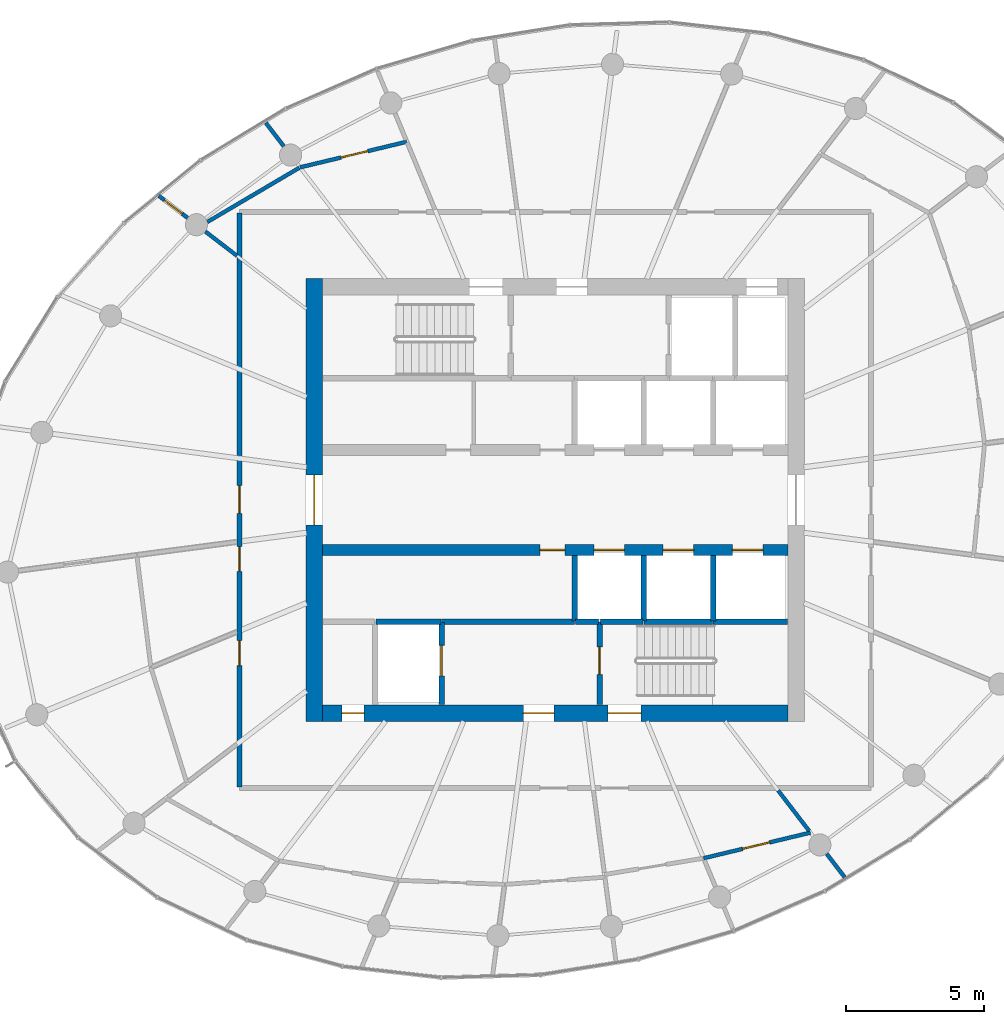
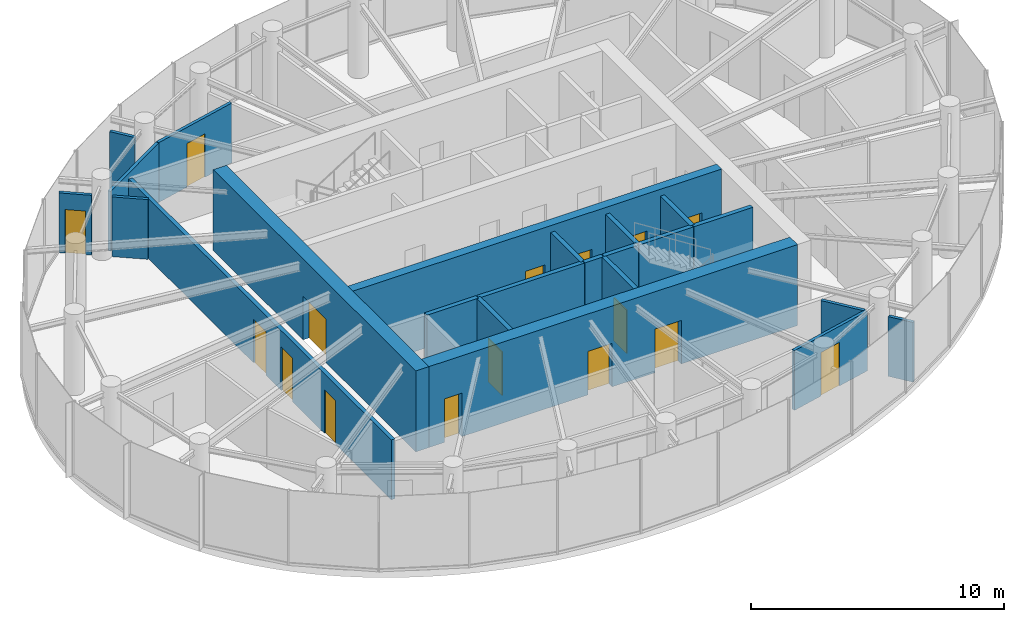
# One storey, part 9 of 13: 23 walls, 16 doors, 16 openings.
"""IFC4 building model written with IfcOpenShell, lengths in metres."""

from ifc_helpers import new_model, si_unit, direction, frame, frame_2d, origin, place, context, subcontext, project, spatial, rectangle, extrude, source, transform, mapped, material, layer, layer_set, type_object, element, fill, save


model = new_model("IFC4")

# Units and contexts
model_context = context("Model", 3, precision=1e-05, world=origin(), true_north=direction((0.0, 1.0)))
body_context = subcontext(model_context, "Body", "Model", "MODEL_VIEW")
ifc_project = project(units=[si_unit("LENGTHUNIT", "METRE"), si_unit("AREAUNIT", "SQUARE_METRE"), si_unit("VOLUMEUNIT", "CUBIC_METRE"), si_unit("PLANEANGLEUNIT", "RADIAN"), si_unit("MASSUNIT", "GRAM", prefix="KILO")], contexts=[model_context])

# Site, building, storey
site_placement = place(None, origin())
site = spatial("IfcSite", under=ifc_project, at=site_placement, CompositionType="ELEMENT")
building_placement = place(site_placement, origin())
building = spatial("IfcBuilding", under=site, at=building_placement, Name="Spindrift Exchange Tower", CompositionType="ELEMENT")
storey_placement = place(building_placement, frame((0.0, 0.0, 254.0)))
storey = spatial("IfcBuildingStorey", under=building, at=storey_placement, Name="L62", CompositionType="ELEMENT", Elevation=254.0)

# Wall, opening, door
ifc_material_1 = material(Name="Concrete 50 MPa", Category="concrete")
ifc_layer_1 = layer(ifc_material_1, 0.60009765625)
ifc_layer_set_1 = layer_set([ifc_layer_1], Name="RC Core Wall 600 Concrete 50 MPa")
wall_type_1 = type_object("IfcWallType", Name="RC Core Wall 600 Concrete 50 MPa", PredefinedType="SHEAR", material=ifc_layer_set_1)
wall_1_placement = place(storey_placement, frame((43.300048828125, 56.0, 0.0), z_axis=(0.0, 0.0, 1.0), x_axis=(0.0, -1.0, 0.0)))
wall_1 = element("IfcWall", 1, at=wall_1_placement, inside=storey, type_object=wall_type_1, Name="Core wall W L62", PredefinedType="SHEAR", context=body_context, shape_type="SweptSolid", body=[
    extrude(rectangle(XDim=16.0, YDim=0.60009765625, at=frame_2d((8.0, 0.0))), origin(), (0.0, 0.0, 1.0), 3.89990234375),
])
opening_1_placement = place(wall_1_placement, frame((7.10009765625, 0.0, 0.0)))
opening_1 = element("IfcOpeningElement", 2, at=opening_1_placement, cuts=wall_1, Name="Opening L62-D1", PredefinedType="OPENING", context=body_context, shape_type="SweptSolid", body=[
    extrude(rectangle(XDim=1.800048828125, YDim=2.10009765625, at=frame_2d((0.89990234375, 1.050048828125))), frame((0.0, 0.31005859375, 0.0), z_axis=(0.0, -1.0, 0.0), x_axis=(1.0, 0.0, 0.0)), (0.0, 0.0, 1.0), 0.6201171875),
])
ifc_material_2 = material(Name="Timber-core fire door", Category="wood")
door_type_1 = type_object("IfcDoorType", Name="DR-LOBBY-1800", OperationType="NOTDEFINED", PredefinedType="DOOR", material=ifc_material_2)
shared_shape_1 = source(origin(), body_context, "Body", "SweptSolid", [
    extrude(rectangle(XDim=1.800048828125, YDim=2.10009765625, at=frame_2d((0.89990234375, 1.050048828125))), frame((0.0, 0.02490234375, 0.0), z_axis=(0.0, -1.0, 0.0), x_axis=(1.0, 0.0, 0.0)), (0.0, 0.0, 1.0), 0.050048828125),
])
door_1_placement = place(opening_1_placement, origin())
door_1 = element("IfcDoor", 3, at=door_1_placement, inside=storey, type_object=door_type_1, Name="L62 Lobby door 1", OperationType="SINGLE_SWING_RIGHT", OverallHeight=2.10009765625, OverallWidth=1.800048828125, PredefinedType="DOOR", context=body_context, shape_type="MappedRepresentation", body=[
    mapped(shared_shape_1, transform((0.0, 0.0, 0.0), scale=1.0)),
])
fill(opening_1, door_1)

# Wall, openings, doors
wall_2_placement = place(storey_placement, frame((43.60009765625, 40.300048828125, 0.0), z_axis=(0.0, 0.0, 1.0), x_axis=(1.0, 0.0, 0.0)))
wall_2 = element("IfcWall", 4, at=wall_2_placement, inside=storey, type_object=wall_type_1, Name="Core wall S L62", PredefinedType="SHEAR", context=body_context, shape_type="SweptSolid", body=[
    extrude(rectangle(XDim=16.7998046875, YDim=0.60009765625, at=frame_2d((8.39990234375, 0.0))), origin(), (0.0, 0.0, 1.0), 3.89990234375),
])
opening_2_placement = place(wall_2_placement, frame((10.300048828125, 0.0, 0.0)))
opening_2 = element("IfcOpeningElement", 5, at=opening_2_placement, cuts=wall_2, Name="Opening L62-D15", PredefinedType="OPENING", context=body_context, shape_type="SweptSolid", body=[
    extrude(rectangle(XDim=1.199951171875, YDim=2.10009765625, at=frame_2d((0.60009765625, 1.050048828125))), frame((0.0, 0.31005859375, 0.0), z_axis=(0.0, -1.0, 0.0), x_axis=(1.0, 0.0, 0.0)), (0.0, 0.0, 1.0), 0.6201171875),
])
opening_3_placement = place(wall_2_placement, frame((7.25, 0.0, 0.0)))
opening_3 = element("IfcOpeningElement", 6, at=opening_3_placement, cuts=wall_2, Name="Opening L62-D17", PredefinedType="OPENING", context=body_context, shape_type="SweptSolid", body=[
    extrude(rectangle(XDim=1.10009765625, YDim=2.10009765625, at=frame_2d((0.550048828125, 1.050048828125))), frame((0.0, 0.31005859375, 0.0), z_axis=(0.0, -1.0, 0.0), x_axis=(1.0, 0.0, 0.0)), (0.0, 0.0, 1.0), 0.6201171875),
])
opening_4_placement = place(wall_2_placement, frame((0.699951171875, 0.0, 0.0)))
opening_4 = element("IfcOpeningElement", 7, at=opening_4_placement, cuts=wall_2, Name="Opening L62-D18", PredefinedType="OPENING", context=body_context, shape_type="SweptSolid", body=[
    extrude(rectangle(XDim=0.800048828125, YDim=2.10009765625, at=frame_2d((0.39990234375, 1.050048828125))), frame((0.0, 0.31005859375, 0.0), z_axis=(0.0, -1.0, 0.0), x_axis=(1.0, 0.0, 0.0)), (0.0, 0.0, 1.0), 0.6201171875),
])
ifc_material_3 = material(Name="Steel fire door", Category="steel")
door_type_2 = type_object("IfcDoorType", Name="DR-STAIR-1200", OperationType="NOTDEFINED", PredefinedType="DOOR", material=ifc_material_3)
shared_shape_2 = source(origin(), body_context, "Body", "SweptSolid", [
    extrude(rectangle(XDim=1.199951171875, YDim=2.10009765625, at=frame_2d((0.60009765625, 1.050048828125))), frame((0.0, 0.02490234375, 0.0), z_axis=(0.0, -1.0, 0.0), x_axis=(1.0, 0.0, 0.0)), (0.0, 0.0, 1.0), 0.050048828125),
])
door_2_placement = place(opening_2_placement, origin())
door_2 = element("IfcDoor", 8, at=door_2_placement, inside=storey, type_object=door_type_2, Name="L62 Stair door 15", OperationType="SINGLE_SWING_LEFT", OverallHeight=2.10009765625, OverallWidth=1.199951171875, PredefinedType="DOOR", context=body_context, shape_type="MappedRepresentation", body=[
    mapped(shared_shape_2, transform((0.0, 0.0, 0.0), scale=1.0)),
])
fill(opening_2, door_2)
door_type_3 = type_object("IfcDoorType", Name="DR-LOBBY-1100", OperationType="NOTDEFINED", PredefinedType="DOOR", material=ifc_material_2)
shared_shape_3 = source(origin(), body_context, "Body", "SweptSolid", [
    extrude(rectangle(XDim=1.10009765625, YDim=2.10009765625, at=frame_2d((0.550048828125, 1.050048828125))), frame((0.0, 0.02490234375, 0.0), z_axis=(0.0, -1.0, 0.0), x_axis=(1.0, 0.0, 0.0)), (0.0, 0.0, 1.0), 0.050048828125),
])
door_3_placement = place(opening_3_placement, origin())
door_3 = element("IfcDoor", 9, at=door_3_placement, inside=storey, type_object=door_type_3, Name="L62 Lobby door 17", OperationType="SINGLE_SWING_LEFT", OverallHeight=2.10009765625, OverallWidth=1.10009765625, PredefinedType="DOOR", context=body_context, shape_type="MappedRepresentation", body=[
    mapped(shared_shape_3, transform((0.0, 0.0, 0.0), scale=1.0)),
])
fill(opening_3, door_3)
ifc_material_4 = material(Name="Steel access door", Category="steel")
door_type_4 = type_object("IfcDoorType", Name="DR-RISER-800", OperationType="NOTDEFINED", PredefinedType="DOOR", material=ifc_material_4)
shared_shape_4 = source(origin(), body_context, "Body", "SweptSolid", [
    extrude(rectangle(XDim=0.800048828125, YDim=2.10009765625, at=frame_2d((0.39990234375, 1.050048828125))), frame((0.0, 0.02490234375, 0.0), z_axis=(0.0, -1.0, 0.0), x_axis=(1.0, 0.0, 0.0)), (0.0, 0.0, 1.0), 0.050048828125),
])
door_4_placement = place(opening_4_placement, origin())
door_4 = element("IfcDoor", 10, at=door_4_placement, inside=storey, type_object=door_type_4, Name="L62 Riser door 18", OperationType="SINGLE_SWING_RIGHT", OverallHeight=2.10009765625, OverallWidth=0.800048828125, PredefinedType="DOOR", context=body_context, shape_type="MappedRepresentation", body=[
    mapped(shared_shape_4, transform((0.0, 0.0, 0.0), scale=1.0)),
])
fill(opening_4, door_4)

ifc_layer_2 = layer(ifc_material_1, 0.39990234375)
ifc_layer_set_2 = layer_set([ifc_layer_2], Name="RC Spine Wall 400 Concrete 50 MPa")
wall_type_2 = type_object("IfcWallType", Name="RC Spine Wall 400 Concrete 50 MPa", PredefinedType="SHEAR", material=ifc_layer_set_2)
wall_3_placement = place(storey_placement, frame((43.60009765625, 46.199951171875, 0.0), z_axis=(0.0, 0.0, 1.0), x_axis=(1.0, 0.0, 0.0)))
wall_3 = element("IfcWall", 11, at=wall_3_placement, inside=storey, type_object=wall_type_2, Name="Core spine wall S L62", PredefinedType="SHEAR", context=body_context, shape_type="SweptSolid", body=[
    extrude(rectangle(XDim=16.7998046875, YDim=0.39990234375, at=frame_2d((8.39990234375, 0.0))), origin(), (0.0, 0.0, 1.0), 3.89990234375),
])
opening_5_placement = place(wall_3_placement, frame((9.800048828125, 0.0, 0.0)))
opening_5 = element("IfcOpeningElement", 12, at=opening_5_placement, cuts=wall_3, Name="Opening L62-D6", PredefinedType="OPENING", context=body_context, shape_type="SweptSolid", body=[
    extrude(rectangle(XDim=1.10009765625, YDim=2.10009765625, at=frame_2d((0.550048828125, 1.050048828125))), frame((0.0, 0.2099609375, 0.0), z_axis=(0.0, -1.0, 0.0), x_axis=(1.0, 0.0, 0.0)), (0.0, 0.0, 1.0), 0.419921875),
])
opening_6_placement = place(wall_3_placement, frame((12.300048828125, 0.0, 0.0)))
opening_6 = element("IfcOpeningElement", 13, at=opening_6_placement, cuts=wall_3, Name="Opening L62-D7", PredefinedType="OPENING", context=body_context, shape_type="SweptSolid", body=[
    extrude(rectangle(XDim=1.10009765625, YDim=2.10009765625, at=frame_2d((0.550048828125, 1.050048828125))), frame((0.0, 0.2099609375, 0.0), z_axis=(0.0, -1.0, 0.0), x_axis=(1.0, 0.0, 0.0)), (0.0, 0.0, 1.0), 0.419921875),
])
opening_7_placement = place(wall_3_placement, frame((14.800048828125, 0.0, 0.0)))
opening_7 = element("IfcOpeningElement", 14, at=opening_7_placement, cuts=wall_3, Name="Opening L62-D8", PredefinedType="OPENING", context=body_context, shape_type="SweptSolid", body=[
    extrude(rectangle(XDim=1.10009765625, YDim=2.10009765625, at=frame_2d((0.550048828125, 1.050048828125))), frame((0.0, 0.2099609375, 0.0), z_axis=(0.0, -1.0, 0.0), x_axis=(1.0, 0.0, 0.0)), (0.0, 0.0, 1.0), 0.419921875),
])
opening_8_placement = place(wall_3_placement, frame((7.85009765625, 0.0, 0.0)))
opening_8 = element("IfcOpeningElement", 15, at=opening_8_placement, cuts=wall_3, Name="Opening L62-D46", PredefinedType="OPENING", context=body_context, shape_type="SweptSolid", body=[
    extrude(rectangle(XDim=0.89990234375, YDim=2.10009765625, at=frame_2d((0.449951171875, 1.050048828125))), frame((0.0, 0.2099609375, 0.0), z_axis=(0.0, -1.0, 0.0), x_axis=(1.0, 0.0, 0.0)), (0.0, 0.0, 1.0), 0.419921875),
])
ifc_material_5 = material(Name="Stainless steel landing door", Category="steel")
door_type_5 = type_object("IfcDoorType", Name="DR-LANDING-1100-SL", OperationType="DOUBLE_DOOR_SLIDING", PredefinedType="USERDEFINED", material=ifc_material_5)
shared_shape_5 = source(origin(), body_context, "Body", "SweptSolid", [
    extrude(rectangle(XDim=1.10009765625, YDim=2.10009765625, at=frame_2d((0.550048828125, 1.050048828125))), frame((0.0, 0.02490234375, 0.0), z_axis=(0.0, -1.0, 0.0), x_axis=(1.0, 0.0, 0.0)), (0.0, 0.0, 1.0), 0.050048828125),
])
door_5_placement = place(opening_5_placement, origin())
door_5 = element("IfcDoor", 16, at=door_5_placement, inside=storey, type_object=door_type_5, Name="L62 Lift landing door 6", ObjectType="LANDING DOOR", OperationType="DOUBLE_DOOR_SLIDING", OverallHeight=2.10009765625, OverallWidth=1.10009765625, PredefinedType="USERDEFINED", context=body_context, shape_type="MappedRepresentation", body=[
    mapped(shared_shape_5, transform((0.0, 0.0, 0.0), scale=1.0)),
])
fill(opening_5, door_5)
door_6_placement = place(opening_6_placement, origin())
door_6 = element("IfcDoor", 17, at=door_6_placement, inside=storey, type_object=door_type_5, Name="L62 Lift landing door 7", ObjectType="LANDING DOOR", OperationType="DOUBLE_DOOR_SLIDING", OverallHeight=2.10009765625, OverallWidth=1.10009765625, PredefinedType="USERDEFINED", context=body_context, shape_type="MappedRepresentation", body=[
    mapped(shared_shape_5, transform((0.0, 0.0, 0.0), scale=1.0)),
])
fill(opening_6, door_6)
door_7_placement = place(opening_7_placement, origin())
door_7 = element("IfcDoor", 18, at=door_7_placement, inside=storey, type_object=door_type_5, Name="L62 Lift landing door 8", ObjectType="LANDING DOOR", OperationType="DOUBLE_DOOR_SLIDING", OverallHeight=2.10009765625, OverallWidth=1.10009765625, PredefinedType="USERDEFINED", context=body_context, shape_type="MappedRepresentation", body=[
    mapped(shared_shape_5, transform((0.0, 0.0, 0.0), scale=1.0)),
])
fill(opening_7, door_7)
door_type_6 = type_object("IfcDoorType", Name="DR-RISER-900", OperationType="NOTDEFINED", PredefinedType="DOOR", material=ifc_material_4)
shared_shape_6 = source(origin(), body_context, "Body", "SweptSolid", [
    extrude(rectangle(XDim=0.89990234375, YDim=2.10009765625, at=frame_2d((0.449951171875, 1.050048828125))), frame((0.0, 0.02490234375, 0.0), z_axis=(0.0, -1.0, 0.0), x_axis=(1.0, 0.0, 0.0)), (0.0, 0.0, 1.0), 0.050048828125),
])
door_8_placement = place(opening_8_placement, origin())
door_8 = element("IfcDoor", 19, at=door_8_placement, inside=storey, type_object=door_type_6, Name="L62 Riser door 46", OperationType="SINGLE_SWING_RIGHT", OverallHeight=2.10009765625, OverallWidth=0.89990234375, PredefinedType="DOOR", context=body_context, shape_type="MappedRepresentation", body=[
    mapped(shared_shape_6, transform((0.0, 0.0, 0.0), scale=1.0)),
])
fill(opening_8, door_8)

ifc_material_6 = material(Name="Fire-rated plasterboard partition", Category="gypsum")
ifc_layer_3 = layer(ifc_material_6, 0.179931640625)
ifc_layer_set_3 = layer_set([ifc_layer_3], Name="W-CORR-180")
wall_type_3 = type_object("IfcWallType", Name="W-CORR-180", PredefinedType="PARTITIONING", material=ifc_layer_set_3)
wall_4_placement = place(storey_placement, frame((40.60009765625, 37.6298828125, 0.0), z_axis=(0.0, 0.0, 1.0), x_axis=(0.0, 1.0, 0.0)))
wall_4 = element("IfcWall", 20, at=wall_4_placement, inside=storey, type_object=wall_type_3, Name="L62 Partition wall 30", PredefinedType="PARTITIONING", context=body_context, shape_type="SweptSolid", body=[
    extrude(rectangle(XDim=20.740234375, YDim=0.179931640625, at=frame_2d((10.3701171875, 0.0))), origin(), (0.0, 0.0, 1.0), 2.8798828125),
])
opening_9_placement = place(wall_4_placement, frame((7.7900390625, 0.0, 0.0)))
opening_9 = element("IfcOpeningElement", 21, at=opening_9_placement, cuts=wall_4, Name="Opening L62-D19", PredefinedType="OPENING", context=body_context, shape_type="SweptSolid", body=[
    extrude(rectangle(XDim=0.89990234375, YDim=2.10009765625, at=frame_2d((0.449951171875, 1.050048828125))), frame((0.0, 0.099853515625, 0.0), z_axis=(0.0, -1.0, 0.0), x_axis=(1.0, 0.0, 0.0)), (0.0, 0.0, 1.0), 0.199951171875),
])
opening_10_placement = place(wall_4_placement, frame((4.389892578125, 0.0, 0.0)))
opening_10 = element("IfcOpeningElement", 22, at=opening_10_placement, cuts=wall_4, Name="Opening L62-D20", PredefinedType="OPENING", context=body_context, shape_type="SweptSolid", body=[
    extrude(rectangle(XDim=0.89990234375, YDim=2.10009765625, at=frame_2d((0.449951171875, 1.050048828125))), frame((0.0, 0.099853515625, 0.0), z_axis=(0.0, -1.0, 0.0), x_axis=(1.0, 0.0, 0.0)), (0.0, 0.0, 1.0), 0.199951171875),
])
opening_11_placement = place(wall_4_placement, frame((9.889892578125, 0.0, 0.0)))
opening_11 = element("IfcOpeningElement", 23, at=opening_11_placement, cuts=wall_4, Name="Opening L62-D43", PredefinedType="OPENING", context=body_context, shape_type="SweptSolid", body=[
    extrude(rectangle(XDim=1.0, YDim=2.10009765625, at=frame_2d((0.5, 1.050048828125))), frame((0.0, 0.099853515625, 0.0), z_axis=(0.0, -1.0, 0.0), x_axis=(1.0, 0.0, 0.0)), (0.0, 0.0, 1.0), 0.199951171875),
])
door_type_7 = type_object("IfcDoorType", Name="DR-ROOM-1000", OperationType="NOTDEFINED", PredefinedType="DOOR", material=ifc_material_2)
shared_shape_7 = source(origin(), body_context, "Body", "SweptSolid", [
    extrude(rectangle(XDim=1.0, YDim=2.10009765625, at=frame_2d((0.5, 1.050048828125))), frame((0.0, 0.02490234375, 0.0), z_axis=(0.0, -1.0, 0.0), x_axis=(1.0, 0.0, 0.0)), (0.0, 0.0, 1.0), 0.050048828125),
])
door_9_placement = place(opening_11_placement, origin())
door_9 = element("IfcDoor", 24, at=door_9_placement, inside=storey, type_object=door_type_7, Name="L62 Door 43", OperationType="SINGLE_SWING_LEFT", OverallHeight=2.10009765625, OverallWidth=1.0, PredefinedType="DOOR", context=body_context, shape_type="MappedRepresentation", body=[
    mapped(shared_shape_7, transform((0.0, 0.0, 0.0), scale=1.0)),
])
fill(opening_11, door_9)
ifc_material_7 = material(Name="Laminate washroom door", Category="wood")
door_type_8 = type_object("IfcDoorType", Name="DR-WC-900", OperationType="NOTDEFINED", PredefinedType="DOOR", material=ifc_material_7)
shared_shape_8 = source(origin(), body_context, "Body", "SweptSolid", [
    extrude(rectangle(XDim=0.89990234375, YDim=2.10009765625, at=frame_2d((0.449951171875, 1.050048828125))), frame((0.0, 0.02490234375, 0.0), z_axis=(0.0, -1.0, 0.0), x_axis=(1.0, 0.0, 0.0)), (0.0, 0.0, 1.0), 0.050048828125),
])
door_10_placement = place(opening_9_placement, origin())
door_10 = element("IfcDoor", 25, at=door_10_placement, inside=storey, type_object=door_type_8, Name="L62 WC door 19", OperationType="SINGLE_SWING_LEFT", OverallHeight=2.10009765625, OverallWidth=0.89990234375, PredefinedType="DOOR", context=body_context, shape_type="MappedRepresentation", body=[
    mapped(shared_shape_8, transform((0.0, 0.0, 0.0), scale=1.0)),
])
fill(opening_9, door_10)
door_11_placement = place(opening_10_placement, origin())
door_11 = element("IfcDoor", 26, at=door_11_placement, inside=storey, type_object=door_type_8, Name="L62 WC door 20", OperationType="SINGLE_SWING_RIGHT", OverallHeight=2.10009765625, OverallWidth=0.89990234375, PredefinedType="DOOR", context=body_context, shape_type="MappedRepresentation", body=[
    mapped(shared_shape_8, transform((0.0, 0.0, 0.0), scale=1.0)),
])
fill(opening_10, door_11)

# Wall, opening, door
ifc_layer_4 = layer(ifc_material_6, 0.139892578125)
ifc_layer_set_4 = layer_set([ifc_layer_4], Name="W-PART-140")
wall_type_4 = type_object("IfcWallType", Name="W-PART-140", PredefinedType="PARTITIONING", material=ifc_layer_set_4)
wall_5_placement = place(storey_placement, frame((42.78466796875, 60.009765625, 0.0), z_axis=(0.0, 0.0, 1.0), x_axis=(0.972446486368, 0.233126212921, 0.0)))
wall_5 = element("IfcWall", 27, at=wall_5_placement, inside=storey, type_object=wall_type_4, Name="L62 Partition wall 43", PredefinedType="PARTITIONING", context=body_context, shape_type="SweptSolid", body=[
    extrude(rectangle(XDim=3.967041015625, YDim=0.139892578125, at=frame_2d((1.9833984375, 0.0))), origin(), (0.0, 0.0, 1.0), 2.8798828125),
])
opening_12_placement = place(wall_5_placement, frame((1.51708984375, 0.0, 0.0)))
opening_12 = element("IfcOpeningElement", 28, at=opening_12_placement, cuts=wall_5, Name="Opening L62-D41", PredefinedType="OPENING", context=body_context, shape_type="SweptSolid", body=[
    extrude(rectangle(XDim=1.0, YDim=2.10009765625, at=frame_2d((0.5, 1.050048828125))), frame((0.0, 0.079833984375, 0.0), z_axis=(0.0, -1.0, 0.0), x_axis=(1.0, 0.0, 0.0)), (0.0, 0.0, 1.0), 0.159912109375),
])
door_12_placement = place(opening_12_placement, origin())
door_12 = element("IfcDoor", 29, at=door_12_placement, inside=storey, type_object=door_type_7, Name="L62 Door 41", OperationType="SINGLE_SWING_LEFT", OverallHeight=2.10009765625, OverallWidth=1.0, PredefinedType="DOOR", context=body_context, shape_type="MappedRepresentation", body=[
    mapped(shared_shape_7, transform((0.0, 0.0, 0.0), scale=1.0)),
])
fill(opening_12, door_12)

wall_6_placement = place(storey_placement, frame((61.21533203125, 35.990234375, 0.0), z_axis=(0.0, 0.0, 1.0), x_axis=(-0.972446486368, -0.233126212921, 0.0)))
wall_6 = element("IfcWall", 30, at=wall_6_placement, inside=storey, type_object=wall_type_4, Name="L62 Partition wall 44", PredefinedType="PARTITIONING", context=body_context, shape_type="SweptSolid", body=[
    extrude(rectangle(XDim=3.967041015625, YDim=0.139892578125, at=frame_2d((1.9833984375, 0.0))), origin(), (0.0, 0.0, 1.0), 2.8798828125),
])
opening_13_placement = place(wall_6_placement, frame((1.51708984375, 0.0, 0.0)))
opening_13 = element("IfcOpeningElement", 31, at=opening_13_placement, cuts=wall_6, Name="Opening L62-D29", PredefinedType="OPENING", context=body_context, shape_type="SweptSolid", body=[
    extrude(rectangle(XDim=1.0, YDim=2.10009765625, at=frame_2d((0.5, 1.050048828125))), frame((0.0, 0.079833984375, 0.0), z_axis=(0.0, -1.0, 0.0), x_axis=(1.0, 0.0, 0.0)), (0.0, 0.0, 1.0), 0.159912109375),
])
door_13_placement = place(opening_13_placement, origin())
door_13 = element("IfcDoor", 32, at=door_13_placement, inside=storey, type_object=door_type_7, Name="L62 Door 29", OperationType="SINGLE_SWING_LEFT", OverallHeight=2.10009765625, OverallWidth=1.0, PredefinedType="DOOR", context=body_context, shape_type="MappedRepresentation", body=[
    mapped(shared_shape_7, transform((0.0, 0.0, 0.0), scale=1.0)),
])
fill(opening_13, door_13)

# Walls
wall_7_placement = place(storey_placement, frame((42.7587890625, 59.994384765625, 0.0), z_axis=(0.0, 0.0, 1.0), x_axis=(-0.861469667811, -0.507809030485, 0.0)))
element("IfcWall", 33, at=wall_7_placement, inside=storey, type_object=wall_type_4, Name="L62 Partition wall 46", PredefinedType="PARTITIONING", context=body_context, shape_type="SweptSolid", body=[
    extrude(rectangle(XDim=3.853271484375, YDim=0.139892578125, at=frame_2d((1.9267578125, 0.0))), origin(), (0.0, 0.0, 1.0), 2.8798828125),
])
wall_8_placement = place(storey_placement, frame((60.04931640625, 37.510009765625, 0.0), z_axis=(0.0, 0.0, 1.0), x_axis=(0.608715796481, -0.793388353276, 0.0)))
element("IfcWall", 34, at=wall_8_placement, inside=storey, type_object=wall_type_4, Name="L62 Partition wall 59", PredefinedType="PARTITIONING", context=body_context, shape_type="SweptSolid", body=[
    extrude(rectangle(XDim=1.8388671875, YDim=0.139892578125, at=frame_2d((0.91943359375, 0.0))), origin(), (0.0, 0.0, 1.0), 2.8798828125),
])
wall_9_placement = place(storey_placement, frame((40.510009765625, 56.816650390625, 0.0), z_axis=(0.0, 0.0, 1.0), x_axis=(-0.793316945216, 0.608808857059, 0.0)))
element("IfcWall", 35, at=wall_9_placement, inside=storey, type_object=wall_type_4, Name="L62 Partition wall 62", PredefinedType="PARTITIONING", context=body_context, shape_type="SweptSolid", body=[
    extrude(rectangle(XDim=1.439697265625, YDim=0.139892578125, at=frame_2d((0.7197265625, 0.0))), origin(), (0.0, 0.0, 1.0), 2.8798828125),
])

# Wall, opening, door
wall_10_placement = place(storey_placement, frame((37.68994140625, 58.98046875, 0.0), z_axis=(0.0, 0.0, 1.0), x_axis=(0.793401708575, -0.608698389048, 0.0)))
wall_10 = element("IfcWall", 36, at=wall_10_placement, inside=storey, type_object=wall_type_4, Name="L62 Partition wall 68", PredefinedType="PARTITIONING", context=body_context, shape_type="SweptSolid", body=[
    extrude(rectangle(XDim=1.305908203125, YDim=0.139892578125, at=frame_2d((0.65283203125, 0.0))), origin(), (0.0, 0.0, 1.0), 2.8798828125),
])
opening_14_placement = place(wall_10_placement, frame((0.255859375, 0.0, 0.0)))
opening_14 = element("IfcOpeningElement", 37, at=opening_14_placement, cuts=wall_10, Name="Opening L62-D42", PredefinedType="OPENING", context=body_context, shape_type="SweptSolid", body=[
    extrude(rectangle(XDim=0.800048828125, YDim=2.10009765625, at=frame_2d((0.39990234375, 1.050048828125))), frame((0.0, 0.079833984375, 0.0), z_axis=(0.0, -1.0, 0.0), x_axis=(1.0, 0.0, 0.0)), (0.0, 0.0, 1.0), 0.159912109375),
])
door_type_9 = type_object("IfcDoorType", Name="DR-ROOM-800", OperationType="NOTDEFINED", PredefinedType="DOOR", material=ifc_material_2)
shared_shape_9 = source(origin(), body_context, "Body", "SweptSolid", [
    extrude(rectangle(XDim=0.800048828125, YDim=2.10009765625, at=frame_2d((0.39990234375, 1.050048828125))), frame((0.0, 0.02490234375, 0.0), z_axis=(0.0, -1.0, 0.0), x_axis=(1.0, 0.0, 0.0)), (0.0, 0.0, 1.0), 0.050048828125),
])
door_14_placement = place(opening_14_placement, origin())
door_14 = element("IfcDoor", 38, at=door_14_placement, inside=storey, type_object=door_type_9, Name="L62 Door 42", OperationType="SINGLE_SWING_RIGHT", OverallHeight=2.10009765625, OverallWidth=0.800048828125, PredefinedType="DOOR", context=body_context, shape_type="MappedRepresentation", body=[
    mapped(shared_shape_9, transform((0.0, 0.0, 0.0), scale=1.0)),
])
fill(opening_14, door_14)

# Walls
for number, where, z_axis, x_axis, name in (
    (39, (42.197998046875, 60.774169921875, 0.0), (0.0, 0.0, 1.0), (-0.608691318636, 0.793407132951, 0.0), "L62 Partition wall 80"),
    (40, (61.802001953125, 35.225830078125, 0.0), (0.0, 0.0, 1.0), (0.608691318636, -0.793407132951, 0.0), "L62 Partition wall 81"),
):
    element("IfcWall", number, at=place(storey_placement, frame(where, z_axis=z_axis, x_axis=x_axis)), inside=storey, type_object=wall_type_4, Name=name, PredefinedType="PARTITIONING", context=body_context, shape_type="SweptSolid", body=[
        extrude(rectangle(XDim=1.065185546875, YDim=0.139892578125, at=frame_2d((0.53271484375, 0.0))), origin(), (0.0, 0.0, 1.0), 2.8798828125),
    ])
ifc_material_8 = material(Name="Concrete 40 MPa", Category="concrete")
ifc_layer_5 = layer(ifc_material_8, 0.199951171875)
ifc_layer_set_5 = layer_set([ifc_layer_5], Name="W-SHAFT-200")
wall_type_5 = type_object("IfcWallType", Name="W-SHAFT-200", PredefinedType="SOLIDWALL", material=ifc_layer_set_5)
wall_11_placement = place(storey_placement, frame((52.699951171875, 43.60009765625, 0.0), z_axis=(0.0, 0.0, 1.0), x_axis=(-1.0, 0.0, 0.0)))
element("IfcWall", 41, at=wall_11_placement, inside=storey, type_object=wall_type_5, Name="L62 Shaft wall 2", PredefinedType="SOLIDWALL", context=body_context, shape_type="SweptSolid", body=[
    extrude(rectangle(XDim=4.800048828125, YDim=0.199951171875, at=frame_2d((2.39990234375, 0.0))), origin(), (0.0, 0.0, 1.0), 3.580078125),
])

# Wall, opening, door
wall_12_placement = place(storey_placement, frame((47.89990234375, 40.6201171875, 0.0), z_axis=(0.0, 0.0, 1.0), x_axis=(0.0, 1.0, 0.0)))
wall_12 = element("IfcWall", 42, at=wall_12_placement, inside=storey, type_object=wall_type_5, Name="L62 Shaft wall 4", PredefinedType="SOLIDWALL", context=body_context, shape_type="SweptSolid", body=[
    extrude(rectangle(XDim=2.949951171875, YDim=0.199951171875, at=frame_2d((1.47509765625, 0.0))), origin(), (0.0, 0.0, 1.0), 3.580078125),
])
opening_15_placement = place(wall_12_placement, frame((1.030029296875, 0.0, 0.0)))
opening_15 = element("IfcOpeningElement", 43, at=opening_15_placement, cuts=wall_12, Name="Opening L62-D10", PredefinedType="OPENING", context=body_context, shape_type="SweptSolid", body=[
    extrude(rectangle(XDim=1.10009765625, YDim=2.10009765625, at=frame_2d((0.550048828125, 1.050048828125))), frame((0.0, 0.10986328125, 0.0), z_axis=(0.0, -1.0, 0.0), x_axis=(1.0, 0.0, 0.0)), (0.0, 0.0, 1.0), 0.219970703125),
])
door_15_placement = place(opening_15_placement, origin())
door_15 = element("IfcDoor", 44, at=door_15_placement, inside=storey, type_object=door_type_5, Name="L62 Lift landing door 10", ObjectType="LANDING DOOR", OperationType="DOUBLE_DOOR_SLIDING", OverallHeight=2.10009765625, OverallWidth=1.10009765625, PredefinedType="USERDEFINED", context=body_context, shape_type="MappedRepresentation", body=[
    mapped(shared_shape_5, transform((0.0, 0.0, 0.0), scale=1.0)),
])
fill(opening_15, door_15)

# Walls
wall_13_placement = place(storey_placement, frame((47.8701171875, 43.60009765625, 0.0), z_axis=(0.0, 0.0, 1.0), x_axis=(-1.0, 0.0, 0.0)))
element("IfcWall", 45, at=wall_13_placement, inside=storey, type_object=wall_type_5, Name="L62 Shaft wall 12", PredefinedType="SOLIDWALL", context=body_context, shape_type="SweptSolid", body=[
    extrude(rectangle(XDim=2.340087890625, YDim=0.199951171875, at=frame_2d((1.169921875, 0.0))), origin(), (0.0, 0.0, 1.0), 3.580078125),
])
wall_14_placement = place(storey_placement, frame((52.699951171875, 45.989990234375, 0.0), z_axis=(0.0, 0.0, 1.0), x_axis=(0.0, -1.0, 0.0)))
element("IfcWall", 46, at=wall_14_placement, inside=storey, type_object=wall_type_5, Name="L62 Shaft wall 13", PredefinedType="SOLIDWALL", context=body_context, shape_type="SweptSolid", body=[
    extrude(rectangle(XDim=2.360107421875, YDim=0.199951171875, at=frame_2d((1.18017578125, 0.0))), origin(), (0.0, 0.0, 1.0), 3.580078125),
])

# Wall, opening, door
ifc_layer_6 = layer(ifc_material_8, 0.199951171875)
ifc_layer_set_6 = layer_set([ifc_layer_6], Name="W-SHAFT-200-LB")
wall_type_6 = type_object("IfcWallType", Name="W-SHAFT-200-LB", PredefinedType="SOLIDWALL", material=ifc_layer_set_6)
wall_15_placement = place(storey_placement, frame((53.60009765625, 43.60009765625, 0.0), z_axis=(0.0, 0.0, 1.0), x_axis=(0.0, -1.0, 0.0)))
wall_15 = element("IfcWall", 47, at=wall_15_placement, inside=storey, type_object=wall_type_6, Name="L62 Shaft wall 6", PredefinedType="SOLIDWALL", context=body_context, shape_type="SweptSolid", body=[
    extrude(rectangle(XDim=2.97998046875, YDim=0.199951171875, at=frame_2d((1.489990234375, 0.0))), origin(), (0.0, 0.0, 1.0), 3.580078125),
])
opening_16_placement = place(wall_15_placement, frame((0.89990234375, 0.0, 0.0)))
opening_16 = element("IfcOpeningElement", 48, at=opening_16_placement, cuts=wall_15, Name="Opening L62-D16", PredefinedType="OPENING", context=body_context, shape_type="SweptSolid", body=[
    extrude(rectangle(XDim=1.0, YDim=2.10009765625, at=frame_2d((0.5, 1.050048828125))), frame((0.0, 0.10986328125, 0.0), z_axis=(0.0, -1.0, 0.0), x_axis=(1.0, 0.0, 0.0)), (0.0, 0.0, 1.0), 0.219970703125),
])
door_type_10 = type_object("IfcDoorType", Name="DR-STAIR-1000", OperationType="NOTDEFINED", PredefinedType="DOOR", material=ifc_material_3)
shared_shape_10 = source(origin(), body_context, "Body", "SweptSolid", [
    extrude(rectangle(XDim=1.0, YDim=2.10009765625, at=frame_2d((0.5, 1.050048828125))), frame((0.0, 0.02490234375, 0.0), z_axis=(0.0, -1.0, 0.0), x_axis=(1.0, 0.0, 0.0)), (0.0, 0.0, 1.0), 0.050048828125),
])
door_16_placement = place(opening_16_placement, origin())
door_16 = element("IfcDoor", 49, at=door_16_placement, inside=storey, type_object=door_type_10, Name="L62 Stair door 16", OperationType="SINGLE_SWING_RIGHT", OverallHeight=2.10009765625, OverallWidth=1.0, PredefinedType="DOOR", context=body_context, shape_type="MappedRepresentation", body=[
    mapped(shared_shape_10, transform((0.0, 0.0, 0.0), scale=1.0)),
])
fill(opening_16, door_16)

# Walls
wall_16_placement = place(storey_placement, frame((57.699951171875, 43.60009765625, 0.0), z_axis=(0.0, 0.0, 1.0), x_axis=(1.0, 0.0, 0.0)))
element("IfcWall", 50, at=wall_16_placement, inside=storey, type_object=wall_type_6, Name="L62 Shaft wall 9", PredefinedType="SOLIDWALL", context=body_context, shape_type="SweptSolid", body=[
    extrude(rectangle(XDim=2.679931640625, YDim=0.199951171875, at=frame_2d((1.33984375, 0.0))), origin(), (0.0, 0.0, 1.0), 3.580078125),
])
wall_17_placement = place(storey_placement, frame((55.199951171875, 43.60009765625, 0.0), z_axis=(0.0, 0.0, 1.0), x_axis=(1.0, 0.0, 0.0)))
element("IfcWall", 51, at=wall_17_placement, inside=storey, type_object=wall_type_6, Name="L62 Shaft wall 11", PredefinedType="SOLIDWALL", context=body_context, shape_type="SweptSolid", body=[
    extrude(rectangle(XDim=2.469970703125, YDim=0.199951171875, at=frame_2d((1.23486328125, 0.0))), origin(), (0.0, 0.0, 1.0), 3.580078125),
])
for number, where, z_axis, x_axis, name in (
    (52, (55.199951171875, 43.6298828125, 0.0), (0.0, 0.0, 1.0), (0.0, 1.0, 0.0), "L62 Shaft wall 15"),
    (53, (57.699951171875, 43.6298828125, 0.0), (0.0, 0.0, 1.0), (0.0, 1.0, 0.0), "L62 Shaft wall 17"),
):
    element("IfcWall", number, at=place(storey_placement, frame(where, z_axis=z_axis, x_axis=x_axis)), inside=storey, type_object=wall_type_6, Name=name, PredefinedType="SOLIDWALL", context=body_context, shape_type="SweptSolid", body=[
        extrude(rectangle(XDim=2.360107421875, YDim=0.199951171875, at=frame_2d((1.18017578125, 0.0))), origin(), (0.0, 0.0, 1.0), 3.580078125),
    ])
wall_18_placement = place(storey_placement, frame((53.6298828125, 43.60009765625, 0.0), z_axis=(0.0, 0.0, 1.0), x_axis=(1.0, 0.0, 0.0)))
element("IfcWall", 54, at=wall_18_placement, inside=storey, type_object=wall_type_6, Name="L62 Shaft wall 22", PredefinedType="SOLIDWALL", context=body_context, shape_type="SweptSolid", body=[
    extrude(rectangle(XDim=1.5400390625, YDim=0.199951171875, at=frame_2d((0.77001953125, 0.0))), origin(), (0.0, 0.0, 1.0), 3.580078125),
])
wall_19_placement = place(storey_placement, frame((52.72998046875, 43.60009765625, 0.0), z_axis=(0.0, 0.0, 1.0), x_axis=(1.0, 0.0, 0.0)))
element("IfcWall", 55, at=wall_19_placement, inside=storey, type_object=wall_type_6, Name="L62 Shaft wall 24", PredefinedType="SOLIDWALL", context=body_context, shape_type="SweptSolid", body=[
    extrude(rectangle(XDim=0.840087890625, YDim=0.199951171875, at=frame_2d((0.419921875, 0.0))), origin(), (0.0, 0.0, 1.0), 3.580078125),
])

save(model, "model.ifc")
